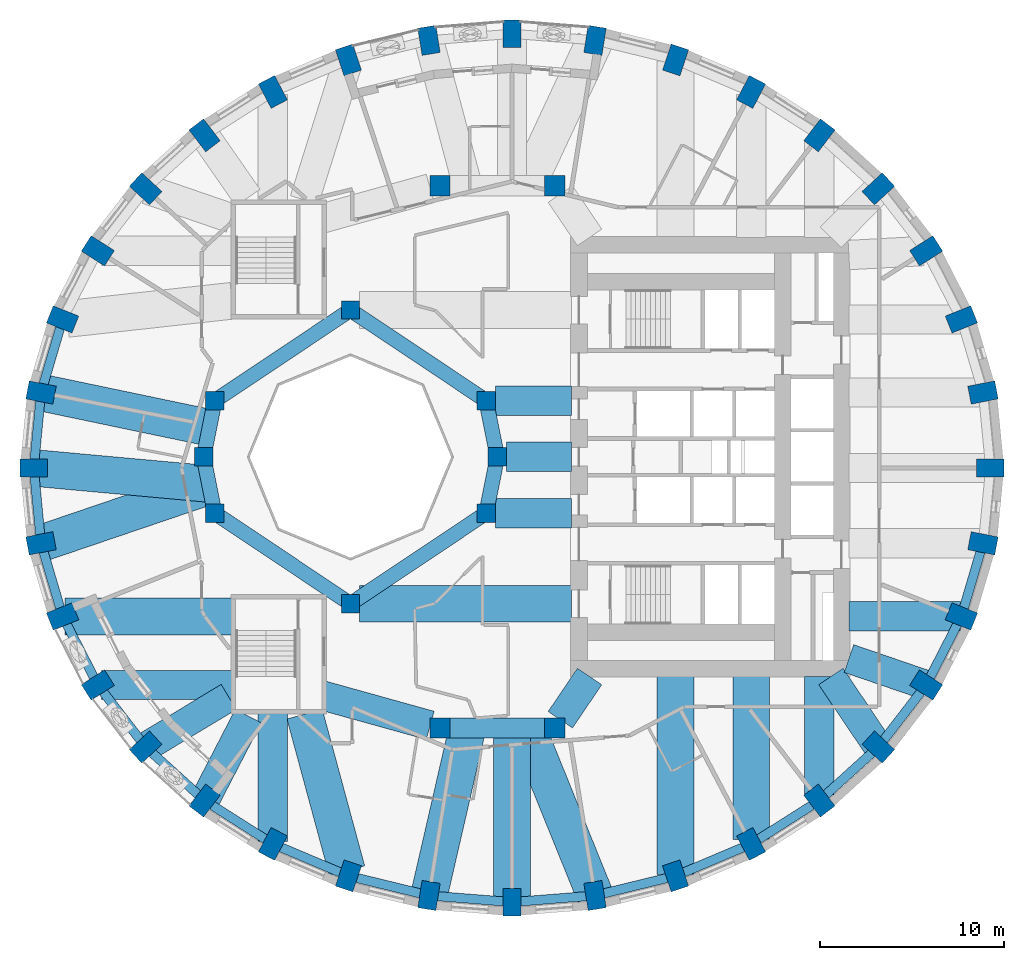
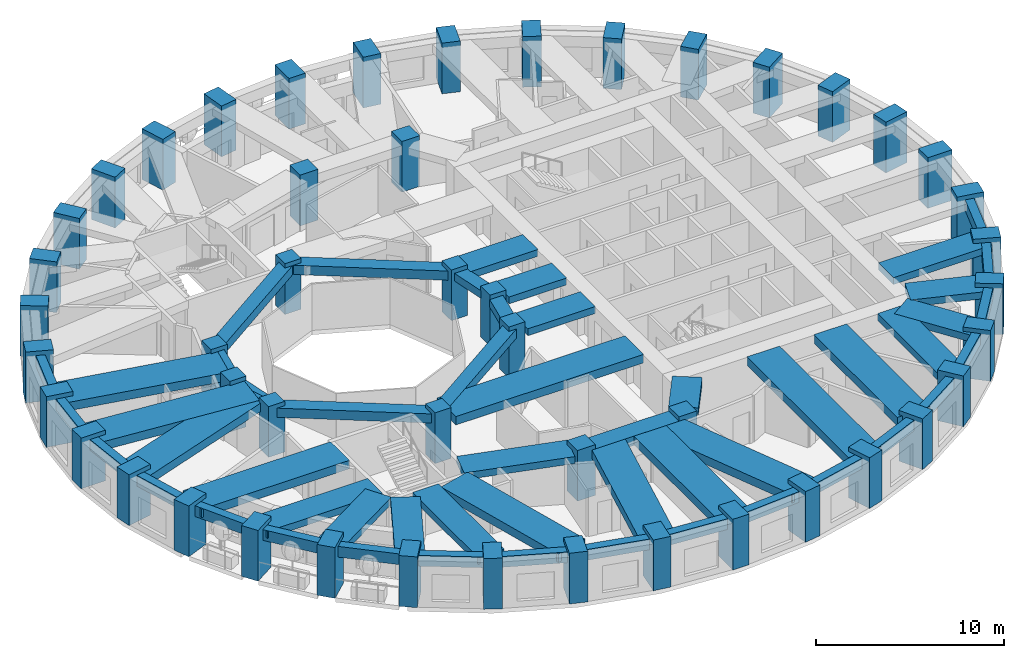
# One storey, part 1 of 12: 52 beams, 48 columns.
"""IFC4 building model written with IfcOpenShell, lengths in metres."""

from ifc_helpers import new_model, si_unit, direction, frame, origin, origin_2d, place, context, subcontext, project, spatial, rectangle, extrude, material, material_profile, profile_set, type_object, element, save


model = new_model("IFC4")

# Units and contexts
model_context = context("Model", 3, precision=1e-05, world=origin(), true_north=direction((0.0, 1.0)))
body_context = subcontext(model_context, "Body", "Model", "MODEL_VIEW")
ifc_project = project(units=[si_unit("LENGTHUNIT", "METRE"), si_unit("AREAUNIT", "SQUARE_METRE"), si_unit("VOLUMEUNIT", "CUBIC_METRE"), si_unit("PLANEANGLEUNIT", "RADIAN"), si_unit("MASSUNIT", "GRAM", prefix="KILO")], contexts=[model_context])

# Site, building, storey
site_placement = place(None, origin())
site = spatial("IfcSite", under=ifc_project, at=site_placement, CompositionType="ELEMENT")
building_placement = place(site_placement, origin())
building = spatial("IfcBuilding", under=site, at=building_placement, Name="Taillehof Tower", CompositionType="ELEMENT")
storey_placement = place(building_placement, frame((0.0, 0.0, 88.89990234375)))
storey = spatial("IfcBuildingStorey", under=building, at=storey_placement, Name="L24", CompositionType="ELEMENT", Elevation=88.89990234375)

# Columns
ifc_material_1 = material(Name="Concrete C50/60", Category="concrete")
ifc_material_profile_1 = material_profile(ifc_material_1, rectangle(XDim=1.0, YDim=1.0, at=origin_2d()), Name="RC 1000x1000")
ifc_profile_set_1 = profile_set([ifc_material_profile_1], Name="Concrete C50/60")
column_type_1 = type_object("IfcColumnType", Name="Atrium ring column C50/60 1000x1000", PredefinedType="COLUMN", material=ifc_profile_set_1)
for number, where, z_axis, x_axis, name in (
    (1, (0.0, 0.0, 0.0), (0.0, 0.0, 1.0), (1.0, 0.0, 0.0), "Column AC01"),
    (2, (-0.60888671875, 3.0615234375, 0.0), (0.0, 0.0, 1.0), (1.0, 0.0, 0.0), "Column AC02"),
    (3, (-8.0, 8.0, 0.0), (0.0, 0.0, 1.0), (1.0, 0.0, 0.0), "Column AC05"),
    (4, (-15.39111328125, 3.0615234375, 0.0), (0.0, 0.0, 1.0), (1.0, 0.0, 0.0), "Column AC08"),
    (5, (-16.0, 0.0, 0.0), (0.0, 0.0, 1.0), (1.0, 0.0, 0.0), "Column AC09"),
    (6, (-15.39111328125, -3.0615234375, 0.0), (0.0, 0.0, 1.0), (1.0, 0.0, 0.0), "Column AC10"),
    (7, (-8.0, -8.0, 0.0), (0.0, 0.0, 1.0), (1.0, 0.0, 0.0), "Column AC13"),
    (8, (-0.60888671875, -3.0615234375, 0.0), (0.0, 0.0, 1.0), (1.0, 0.0, 0.0), "Column AC16"),
):
    element("IfcColumn", number, at=place(storey_placement, frame(where, z_axis=z_axis, x_axis=x_axis)), inside=storey, type_object=column_type_1, Name=name, PredefinedType="COLUMN", context=body_context, shape_type="SweptSolid", body=[
        extrude(rectangle(XDim=1.0, YDim=1.0, at=origin_2d()), origin(), (0.0, 0.0, 1.0), 3.300048828125),
    ])
ifc_material_2 = material(Name="Concrete C50/60", Category="concrete")
ifc_material_profile_2 = material_profile(ifc_material_2, rectangle(XDim=1.10009765625, YDim=1.10009765625, at=origin_2d()), Name="RC 1100x1100")
ifc_profile_set_2 = profile_set([ifc_material_profile_2], Name="Concrete C50/60")
column_type_2 = type_object("IfcColumnType", Name="Mid-ring column C50/60 1100x1100", PredefinedType="COLUMN", material=ifc_profile_set_2)
for number, where, z_axis, x_axis, name in (
    (9, (3.125732421875, 14.772216796875, 0.0), (0.0, 0.0, 1.0), (1.0, 0.0, 0.0), "Column MC05"),
    (10, (3.125732421875, -14.772216796875, 0.0), (0.0, 0.0, 1.0), (1.0, 0.0, 0.0), "Column MC15"),
):
    element("IfcColumn", number, at=place(storey_placement, frame(where, z_axis=z_axis, x_axis=x_axis)), inside=storey, type_object=column_type_2, Name=name, PredefinedType="COLUMN", context=body_context, shape_type="SweptSolid", body=[
        extrude(rectangle(XDim=1.10009765625, YDim=1.10009765625, at=origin_2d()), origin(), (0.0, 0.0, 1.0), 3.300048828125),
    ])
ifc_material_3 = material(Name="Concrete C60/75", Category="concrete")
ifc_material_profile_3 = material_profile(ifc_material_3, rectangle(XDim=1.10009765625, YDim=1.10009765625, at=origin_2d()), Name="RC 1100x1100")
ifc_profile_set_3 = profile_set([ifc_material_profile_3], Name="Concrete C60/75")
column_type_3 = type_object("IfcColumnType", Name="Mid-ring column C60/75 1100x1100", PredefinedType="COLUMN", material=ifc_profile_set_3)
for number, where, z_axis, x_axis, name in (
    (11, (-3.125732421875, 14.772216796875, 0.0), (0.0, 0.0, 1.0), (1.0, 0.0, 0.0), "Column MC06"),
    (12, (-3.125732421875, -14.772216796875, 0.0), (0.0, 0.0, 1.0), (1.0, 0.0, 0.0), "Column MC14"),
):
    element("IfcColumn", number, at=place(storey_placement, frame(where, z_axis=z_axis, x_axis=x_axis)), inside=storey, type_object=column_type_3, Name=name, PredefinedType="COLUMN", context=body_context, shape_type="SweptSolid", body=[
        extrude(rectangle(XDim=1.10009765625, YDim=1.10009765625, at=origin_2d()), origin(), (0.0, 0.0, 1.0), 3.300048828125),
    ])
ifc_material_4 = material(Name="Concrete C70/85", Category="concrete")
ifc_material_profile_4 = material_profile(ifc_material_4, rectangle(XDim=1.5, YDim=1.0, at=origin_2d()), Name="RC 1500x1000")
ifc_profile_set_4 = profile_set([ifc_material_profile_4], Name="Concrete C70/85")
column_type_4 = type_object("IfcColumnType", Name="Ring column C70/85 1500x1000", PredefinedType="COLUMN", material=ifc_profile_set_4)
for number, where, z_axis, x_axis, name in (
    (13, (26.85009765625, -0.60009765625, 0.0), (0.0, 0.0, 1.0), (1.0, 0.0, 0.0), "Ring column RC01"),
    (14, (26.454345703125, 3.5068359375, 0.0), (0.0, 0.0, 1.0), (0.981757466121, 0.190137523166, 0.0), "Ring column RC02"),
    (15, (25.279052734375, 7.48876953125, 0.0), (0.0, 0.0, 1.0), (0.928550110352, 0.371207075048, 0.0), "Ring column RC03"),
    (16, (23.35986328125, 11.22509765625, 0.0), (0.0, 0.0, 1.0), (0.844511454562, 0.535537489923, 0.0), "Ring column RC04"),
    (17, (20.75537109375, 14.60205078125, 0.0), (0.0, 0.0, 1.0), (0.735332034083, 0.677707016085, 0.0), "Ring column RC05"),
    (18, (17.544677734375, 17.516845703125, 0.0), (0.0, 0.0, 1.0), (0.607074228939, 0.794645128694, 0.0), "Ring column RC06"),
    (19, (13.824951171875, 19.881591796875, 0.0), (0.0, 0.0, 1.0), (0.465283017627, 0.885161970211, 0.0), "Ring column RC07"),
    (20, (9.709716796875, 21.623779296875, 0.0), (0.0, 0.0, 1.0), (0.314554972703, 0.949239258116, 0.0), "Ring column RC08"),
    (21, (5.323486328125, 22.690673828125, 0.0), (0.0, 0.0, 1.0), (0.158507038215, 0.987357847407, 0.0), "Ring column RC09"),
    (22, (0.800048828125, 23.050048828125, 0.0), (0.0, 0.0, 1.0), (0.0, 1.0, 0.0), "Ring column RC10"),
    (23, (-3.7236328125, 22.690673828125, 0.0), (0.0, 0.0, 1.0), (-0.158507038215, 0.987357847407, 0.0), "Ring column RC11"),
    (24, (-8.109619140625, 21.623779296875, 0.0), (0.0, 0.0, 1.0), (-0.314554972703, 0.949239258116, 0.0), "Ring column RC12"),
    (25, (-12.22509765625, 19.881591796875, 0.0), (0.0, 0.0, 1.0), (-0.465283017627, 0.885161970211, 0.0), "Ring column RC13"),
    (26, (-15.944580078125, 17.516845703125, 0.0), (0.0, 0.0, 1.0), (-0.607074228939, 0.794645128694, 0.0), "Ring column RC14"),
    (27, (-19.155517578125, 14.60205078125, 0.0), (0.0, 0.0, 1.0), (-0.735332034083, 0.677707016085, 0.0), "Ring column RC15"),
    (28, (-21.760009765625, 11.22509765625, 0.0), (0.0, 0.0, 1.0), (-0.844511454562, 0.535537489923, 0.0), "Ring column RC16"),
    (29, (-23.678955078125, 7.48876953125, 0.0), (0.0, 0.0, 1.0), (-0.928550110352, 0.371207075048, 0.0), "Ring column RC17"),
    (30, (-24.854248046875, 3.5068359375, 0.0), (0.0, 0.0, 1.0), (-0.981757466121, 0.190137523166, 0.0), "Ring column RC18"),
    (31, (-25.25, -0.60009765625, 0.0), (0.0, 0.0, 1.0), (-1.0, 0.0, 0.0), "Ring column RC19"),
    (32, (-24.854248046875, -4.706787109375, 0.0), (0.0, 0.0, 1.0), (-0.981757466121, -0.190137523166, 0.0), "Ring column RC20"),
    (33, (-23.678955078125, -8.688720703125, 0.0), (0.0, 0.0, 1.0), (-0.928550110352, -0.371207075048, 0.0), "Ring column RC21"),
    (34, (-21.760009765625, -12.425048828125, 0.0), (0.0, 0.0, 1.0), (-0.844511454562, -0.535537489923, 0.0), "Ring column RC22"),
    (35, (-19.155517578125, -15.802001953125, 0.0), (0.0, 0.0, 1.0), (-0.735332034083, -0.677707016085, 0.0), "Ring column RC23"),
    (36, (-15.944580078125, -18.717041015625, 0.0), (0.0, 0.0, 1.0), (-0.607074228939, -0.794645128694, 0.0), "Ring column RC24"),
    (37, (-12.22509765625, -21.08154296875, 0.0), (0.0, 0.0, 1.0), (-0.465283017627, -0.885161970211, 0.0), "Ring column RC25"),
    (38, (-8.109619140625, -22.82373046875, 0.0), (0.0, 0.0, 1.0), (-0.314554972703, -0.949239258116, 0.0), "Ring column RC26"),
    (39, (-3.7236328125, -23.890625, 0.0), (0.0, 0.0, 1.0), (-0.158507038215, -0.987357847407, 0.0), "Ring column RC27"),
    (40, (0.800048828125, -24.25, 0.0), (0.0, 0.0, 1.0), (0.0, -1.0, 0.0), "Ring column RC28"),
    (41, (5.323486328125, -23.890625, 0.0), (0.0, 0.0, 1.0), (0.158507038215, -0.987357847407, 0.0), "Ring column RC29"),
    (42, (9.709716796875, -22.82373046875, 0.0), (0.0, 0.0, 1.0), (0.314554972703, -0.949239258116, 0.0), "Ring column RC30"),
    (43, (13.824951171875, -21.08154296875, 0.0), (0.0, 0.0, 1.0), (0.465283017627, -0.885161970211, 0.0), "Ring column RC31"),
    (44, (17.544677734375, -18.717041015625, 0.0), (0.0, 0.0, 1.0), (0.607074228939, -0.794645128694, 0.0), "Ring column RC32"),
    (45, (20.75537109375, -15.802001953125, 0.0), (0.0, 0.0, 1.0), (0.735332034083, -0.677707016085, 0.0), "Ring column RC33"),
    (46, (23.35986328125, -12.425048828125, 0.0), (0.0, 0.0, 1.0), (0.844511454562, -0.535537489923, 0.0), "Ring column RC34"),
    (47, (25.279052734375, -8.688720703125, 0.0), (0.0, 0.0, 1.0), (0.928550110352, -0.371207075048, 0.0), "Ring column RC35"),
    (48, (26.454345703125, -4.706787109375, 0.0), (0.0, 0.0, 1.0), (0.981757466121, -0.190137523166, 0.0), "Ring column RC36"),
):
    element("IfcColumn", number, at=place(storey_placement, frame(where, z_axis=z_axis, x_axis=x_axis)), inside=storey, type_object=column_type_4, Name=name, PredefinedType="COLUMN", context=body_context, shape_type="SweptSolid", body=[
        extrude(rectangle(XDim=1.5, YDim=1.0, at=origin_2d()), origin(), (0.0, 0.0, 1.0), 3.300048828125),
    ])

# Beams
ifc_material_5 = material(Name="Concrete C50/60", Category="concrete")
ifc_material_profile_5 = material_profile(ifc_material_5, rectangle(XDim=0.800048828125, YDim=0.5, at=origin_2d()), Name="RC 800x500")
ifc_profile_set_5 = profile_set([ifc_material_profile_5], Name="Concrete C50/60")
beam_type_1 = type_object("IfcBeamType", Name="Atrium ring beam C50/60 800x500", PredefinedType="BEAM", material=ifc_profile_set_5)
for number, where, z_axis, x_axis, name in (
    (49, (0.0, 0.0, 2.77001953125), (-0.195063155143, 0.980790683839, 0.0), (-0.980790683839, -0.195063155143, 0.0), "Atrium ring beam AB01"),
    (50, (-15.39111328125, 3.0615234375, 2.77001953125), (-0.195063155143, -0.980790683839, 0.0), (0.980790683839, -0.195063155143, 0.0), "Atrium ring beam AB04"),
    (51, (-16.0, 0.0, 2.77001953125), (0.195063155143, -0.980790683839, 0.0), (0.980790683839, 0.195063155143, 0.0), "Atrium ring beam AB05"),
    (52, (-0.60888671875, -3.0615234375, 2.77001953125), (0.195063155143, 0.980790683839, 0.0), (-0.980790683839, 0.195063155143, 0.0), "Atrium ring beam AB08"),
):
    element("IfcBeam", number, at=place(storey_placement, frame(where, z_axis=z_axis, x_axis=x_axis)), inside=storey, type_object=beam_type_1, Name=name, PredefinedType="BEAM", context=body_context, shape_type="SweptSolid", body=[
        extrude(rectangle(XDim=0.800048828125, YDim=0.5, at=origin_2d()), origin(), (0.0, 0.0, 1.0), 3.12158203125),
    ])
ifc_material_6 = material(Name="Concrete C50/60", Category="concrete")
ifc_material_profile_6 = material_profile(ifc_material_6, rectangle(XDim=0.800048828125, YDim=0.60009765625, at=origin_2d()), Name="RC 800x600")
ifc_profile_set_6 = profile_set([ifc_material_profile_6], Name="Concrete C50/60")
beam_type_2 = type_object("IfcBeamType", Name="Atrium ring beam C50/60 800x600", PredefinedType="BEAM", material=ifc_profile_set_6)
for number, where, z_axis, x_axis, name in (
    (53, (-0.60888671875, 3.0615234375, 2.72021484375), (-0.831475195687, 0.555561876804, 0.0), (-0.555561876804, -0.831475195687, 0.0), "Atrium ring beam AB02"),
    (54, (-8.0, 8.0, 2.72021484375), (-0.831475195687, -0.555561876804, 0.0), (0.555561876804, -0.831475195687, 0.0), "Atrium ring beam AB03"),
    (55, (-15.39111328125, -3.0615234375, 2.72021484375), (0.831475195687, -0.555561876804, 0.0), (0.555561876804, 0.831475195687, 0.0), "Atrium ring beam AB06"),
    (56, (-8.0, -8.0, 2.72021484375), (0.831475195687, 0.555561876804, 0.0), (-0.555561876804, 0.831475195687, 0.0), "Atrium ring beam AB07"),
):
    element("IfcBeam", number, at=place(storey_placement, frame(where, z_axis=z_axis, x_axis=x_axis)), inside=storey, type_object=beam_type_2, Name=name, PredefinedType="BEAM", context=body_context, shape_type="SweptSolid", body=[
        extrude(rectangle(XDim=0.800048828125, YDim=0.60009765625, at=origin_2d()), origin(), (0.0, 0.0, 1.0), 8.88916015625),
    ])
ifc_material_7 = material(Name="Concrete C50/60", Category="concrete")
ifc_material_profile_7 = material_profile(ifc_material_7, rectangle(XDim=1.10009765625, YDim=0.60009765625, at=origin_2d()), Name="RC 1100x600")
ifc_profile_set_7 = profile_set([ifc_material_profile_7], Name="Concrete C50/60")
beam_type_3 = type_object("IfcBeamType", Name="Mid-ring beam C50/60 1100x600", PredefinedType="BEAM", material=ifc_profile_set_7)
beam_1_placement = place(storey_placement, frame((-3.125732421875, -14.772216796875, 2.72021484375), z_axis=(1.0, 0.0, 0.0), x_axis=(0.0, 1.0, 0.0)))
element("IfcBeam", 57, at=beam_1_placement, inside=storey, type_object=beam_type_3, Name="Mid-ring beam MB02", PredefinedType="BEAM", context=body_context, shape_type="SweptSolid", body=[
    extrude(rectangle(XDim=1.10009765625, YDim=0.60009765625, at=origin_2d()), origin(), (0.0, 0.0, 1.0), 6.25146484375),
])
ifc_material_8 = material(Name="Concrete C50/60", Category="concrete")
ifc_material_profile_8 = material_profile(ifc_material_8, rectangle(XDim=1.60009765625, YDim=0.449951171875, at=origin_2d()), Name="RC 1600x450")
ifc_profile_set_8 = profile_set([ifc_material_profile_8], Name="Concrete C50/60")
beam_type_4 = type_object("IfcBeamType", Name="Radial band beam C50/60 1600x450", PredefinedType="BEAM", material=ifc_profile_set_8)
beam_2_placement = place(storey_placement, frame((-21.54736328125, -12.425048828125, 2.795166015625), z_axis=(1.0, 0.0, 0.0), x_axis=(0.0, 1.0, 0.0)))
element("IfcBeam", 58, at=beam_2_placement, inside=storey, type_object=beam_type_4, Name="Radial band beam RB22", PredefinedType="BEAM", context=body_context, shape_type="SweptSolid", body=[
    extrude(rectangle(XDim=1.60009765625, YDim=0.449951171875, at=origin_2d()), origin(), (0.0, 0.0, 1.0), 7.097412109375),
])
beam_3_placement = place(storey_placement, frame((-19.155517578125, -15.802001953125, 2.795166015625), z_axis=(0.856794973818, 0.515657224171, 0.0), x_axis=(-0.515657224171, 0.856794973818, 0.0)))
element("IfcBeam", 59, at=beam_3_placement, inside=storey, type_object=beam_type_4, Name="Radial band beam RB23", PredefinedType="BEAM", context=body_context, shape_type="SweptSolid", body=[
    extrude(rectangle(XDim=1.60009765625, YDim=0.449951171875, at=origin_2d()), origin(), (0.0, 0.0, 1.0), 5.28369140625),
])
beam_4_placement = place(storey_placement, frame((-15.944580078125, -18.717041015625, 2.795166015625), z_axis=(0.460119038647, 0.8878572353, 0.0), x_axis=(-0.8878572353, 0.460119038647, 0.0)))
element("IfcBeam", 60, at=beam_4_placement, inside=storey, type_object=beam_type_4, Name="Radial band beam RB24", PredefinedType="BEAM", context=body_context, shape_type="SweptSolid", body=[
    extrude(rectangle(XDim=1.60009765625, YDim=0.449951171875, at=origin_2d()), origin(), (0.0, 0.0, 1.0), 5.1796875),
])
beam_5_placement = place(storey_placement, frame((-12.22509765625, -20.9443359375, 2.795166015625), z_axis=(0.0, 1.0, 0.0), x_axis=(-1.0, 0.0, 0.0)))
element("IfcBeam", 61, at=beam_5_placement, inside=storey, type_object=beam_type_4, Name="Radial band beam RB25", PredefinedType="BEAM", context=body_context, shape_type="SweptSolid", body=[
    extrude(rectangle(XDim=1.60009765625, YDim=0.449951171875, at=origin_2d()), origin(), (0.0, 0.0, 1.0), 6.994384765625),
])
beam_6_placement = place(storey_placement, frame((17.544677734375, -18.421875, 2.795166015625), z_axis=(0.0, 1.0, 0.0), x_axis=(-1.0, 0.0, 0.0)))
element("IfcBeam", 62, at=beam_6_placement, inside=storey, type_object=beam_type_4, Name="Radial band beam RB32", PredefinedType="BEAM", context=body_context, shape_type="SweptSolid", body=[
    extrude(rectangle(XDim=1.60009765625, YDim=0.449951171875, at=origin_2d()), origin(), (0.0, 0.0, 1.0), 6.471923828125),
])
beam_7_placement = place(storey_placement, frame((20.75537109375, -15.802001953125, 2.795166015625), z_axis=(-0.557822939952, 0.829959979555, 0.0), x_axis=(-0.829959979555, -0.557822939952, 0.0)))
element("IfcBeam", 63, at=beam_7_placement, inside=storey, type_object=beam_type_4, Name="Radial band beam RB33", PredefinedType="BEAM", context=body_context, shape_type="SweptSolid", body=[
    extrude(rectangle(XDim=1.60009765625, YDim=0.449951171875, at=origin_2d()), origin(), (0.0, 0.0, 1.0), 4.630859375),
])
beam_8_placement = place(storey_placement, frame((23.35986328125, -12.425048828125, 2.795166015625), z_axis=(-0.946037817118, 0.324056242932, 0.0), x_axis=(-0.324056242932, -0.946037817118, 0.0)))
element("IfcBeam", 64, at=beam_8_placement, inside=storey, type_object=beam_type_4, Name="Radial band beam RB34", PredefinedType="BEAM", context=body_context, shape_type="SweptSolid", body=[
    extrude(rectangle(XDim=1.60009765625, YDim=0.449951171875, at=origin_2d()), origin(), (0.0, 0.0, 1.0), 4.447265625),
])
beam_9_placement = place(storey_placement, frame((25.2275390625, -8.688720703125, 2.795166015625), z_axis=(-1.0, 0.0, 0.0), x_axis=(0.0, -1.0, 0.0)))
element("IfcBeam", 65, at=beam_9_placement, inside=storey, type_object=beam_type_4, Name="Radial band beam RB35", PredefinedType="BEAM", context=body_context, shape_type="SweptSolid", body=[
    extrude(rectangle(XDim=1.60009765625, YDim=0.449951171875, at=origin_2d()), origin(), (0.0, 0.0, 1.0), 6.07763671875),
])
beam_10_placement = place(storey_placement, frame((0.5, 0.0, 2.795166015625), z_axis=(1.0, 0.0, 0.0), x_axis=(0.0, 1.0, 0.0)))
element("IfcBeam", 66, at=beam_10_placement, inside=storey, type_object=beam_type_4, Name="Inner band beam IB101", PredefinedType="BEAM", context=body_context, shape_type="SweptSolid", body=[
    extrude(rectangle(XDim=1.60009765625, YDim=0.449951171875, at=origin_2d()), origin(), (0.0, 0.0, 1.0), 3.550048828125),
])
for number, where, z_axis, x_axis, name in (
    (67, (-0.10888671875, 3.0615234375, 2.795166015625), (1.0, 0.0, 0.0), (0.0, 1.0, 0.0), "Inner band beam IB102"),
    (68, (-0.10888671875, -3.0615234375, 2.795166015625), (1.0, 0.0, 0.0), (0.0, 1.0, 0.0), "Inner band beam IB116"),
):
    element("IfcBeam", number, at=place(storey_placement, frame(where, z_axis=z_axis, x_axis=x_axis)), inside=storey, type_object=beam_type_4, Name=name, PredefinedType="BEAM", context=body_context, shape_type="SweptSolid", body=[
        extrude(rectangle(XDim=1.60009765625, YDim=0.449951171875, at=origin_2d()), origin(), (0.0, 0.0, 1.0), 4.158935546875),
    ])
beam_11_placement = place(storey_placement, frame((-3.655517578125, -14.624755859375, 2.795166015625), z_axis=(-0.963459369536, 0.267854518821, 0.0), x_axis=(-0.267854518821, -0.963459369536, 0.0)))
element("IfcBeam", 69, at=beam_11_placement, inside=storey, type_object=beam_type_4, Name="Inner band beam IB214", PredefinedType="BEAM", context=body_context, shape_type="SweptSolid", body=[
    extrude(rectangle(XDim=1.60009765625, YDim=0.449951171875, at=origin_2d()), origin(), (0.0, 0.0, 1.0), 6.096923828125),
])
beam_12_placement = place(storey_placement, frame((3.433837890625, -14.31640625, 2.795166015625), z_axis=(0.560112043398, 0.828416862962, 0.0), x_axis=(-0.828416862962, 0.560112043398, 0.0)))
element("IfcBeam", 70, at=beam_12_placement, inside=storey, type_object=beam_type_4, Name="Inner band beam IB215", PredefinedType="BEAM", context=body_context, shape_type="SweptSolid", body=[
    extrude(rectangle(XDim=1.60009765625, YDim=0.449951171875, at=origin_2d()), origin(), (0.0, 0.0, 1.0), 2.84619140625),
])
ifc_material_9 = material(Name="Concrete C50/60", Category="concrete")
ifc_material_profile_9 = material_profile(ifc_material_9, rectangle(XDim=2.0, YDim=0.550048828125, at=origin_2d()), Name="RC 2000x550")
ifc_profile_set_9 = profile_set([ifc_material_profile_9], Name="Concrete C50/60")
beam_type_5 = type_object("IfcBeamType", Name="Radial band beam C50/60 2000x550", PredefinedType="BEAM", material=ifc_profile_set_9)
beam_13_placement = place(storey_placement, frame((-24.854248046875, 3.5068359375, 2.7451171875), z_axis=(0.978853404319, -0.204562980164, 0.0), x_axis=(0.204562980164, 0.978853404319, 0.0)))
element("IfcBeam", 71, at=beam_13_placement, inside=storey, type_object=beam_type_5, Name="Radial band beam RB18", PredefinedType="BEAM", context=body_context, shape_type="SweptSolid", body=[
    extrude(rectangle(XDim=2.0, YDim=0.550048828125, at=origin_2d()), origin(), (0.0, 0.0, 1.0), 9.36865234375),
])
beam_14_placement = place(storey_placement, frame((-25.25, -0.60009765625, 2.7451171875), z_axis=(0.995859515154, -0.090905588816, 0.0), x_axis=(0.090905588816, 0.995859515154, 0.0)))
element("IfcBeam", 72, at=beam_14_placement, inside=storey, type_object=beam_type_5, Name="Radial band beam RB19", PredefinedType="BEAM", context=body_context, shape_type="SweptSolid", body=[
    extrude(rectangle(XDim=2.0, YDim=0.550048828125, at=origin_2d()), origin(), (0.0, 0.0, 1.0), 9.58251953125),
])
beam_15_placement = place(storey_placement, frame((-24.854248046875, -4.706787109375, 2.7451171875), z_axis=(0.946822052625, 0.321757673822, 0.0), x_axis=(-0.321757673822, 0.946822052625, 0.0)))
element("IfcBeam", 73, at=beam_15_placement, inside=storey, type_object=beam_type_5, Name="Radial band beam RB20", PredefinedType="BEAM", context=body_context, shape_type="SweptSolid", body=[
    extrude(rectangle(XDim=2.0, YDim=0.550048828125, at=origin_2d()), origin(), (0.0, 0.0, 1.0), 9.685791015625),
])
beam_16_placement = place(storey_placement, frame((-23.54736328125, -8.688720703125, 2.7451171875), z_axis=(1.0, 0.0, 0.0), x_axis=(0.0, 1.0, 0.0)))
element("IfcBeam", 74, at=beam_16_placement, inside=storey, type_object=beam_type_5, Name="Radial band beam RB21", PredefinedType="BEAM", context=body_context, shape_type="SweptSolid", body=[
    extrude(rectangle(XDim=2.0, YDim=0.550048828125, at=origin_2d()), origin(), (0.0, 0.0, 1.0), 9.097412109375),
])
beam_17_placement = place(storey_placement, frame((-8.186767578125, -22.539306640625, 2.7451171875), z_axis=(-0.261461600872, 0.965213878511, 0.0), x_axis=(-0.965213878511, -0.261461600872, 0.0)))
element("IfcBeam", 75, at=beam_17_placement, inside=storey, type_object=beam_type_5, Name="Radial band beam RB26", PredefinedType="BEAM", context=body_context, shape_type="SweptSolid", body=[
    extrude(rectangle(XDim=2.0, YDim=0.550048828125, at=origin_2d()), origin(), (0.0, 0.0, 1.0), 8.835205078125),
])
beam_18_placement = place(storey_placement, frame((-3.7236328125, -23.890625, 2.7451171875), z_axis=(0.224215346781, 0.974539623755, 0.0), x_axis=(-0.974539623755, 0.224215346781, 0.0)))
element("IfcBeam", 76, at=beam_18_placement, inside=storey, type_object=beam_type_5, Name="Radial band beam RB27", PredefinedType="BEAM", context=body_context, shape_type="SweptSolid", body=[
    extrude(rectangle(XDim=2.0, YDim=0.550048828125, at=origin_2d()), origin(), (0.0, 0.0, 1.0), 9.356689453125),
])
beam_19_placement = place(storey_placement, frame((0.800048828125, -24.25, 2.7451171875), z_axis=(0.0, 1.0, 0.0), x_axis=(-1.0, 0.0, 0.0)))
element("IfcBeam", 77, at=beam_19_placement, inside=storey, type_object=beam_type_5, Name="Radial band beam RB28", PredefinedType="BEAM", context=body_context, shape_type="SweptSolid", body=[
    extrude(rectangle(XDim=2.0, YDim=0.550048828125, at=origin_2d()), origin(), (0.0, 0.0, 1.0), 9.477783203125),
])
beam_20_placement = place(storey_placement, frame((5.323486328125, -23.890625, 2.7451171875), z_axis=(-0.375801287916, 0.926700270854, 0.0), x_axis=(-0.926700270854, -0.375801287916, 0.0)))
element("IfcBeam", 78, at=beam_20_placement, inside=storey, type_object=beam_type_5, Name="Radial band beam RB29", PredefinedType="BEAM", context=body_context, shape_type="SweptSolid", body=[
    extrude(rectangle(XDim=2.0, YDim=0.550048828125, at=origin_2d()), origin(), (0.0, 0.0, 1.0), 9.839599609375),
])
beam_21_placement = place(storey_placement, frame((9.709716796875, -22.756591796875, 2.7451171875), z_axis=(0.0, 1.0, 0.0), x_axis=(-1.0, 0.0, 0.0)))
element("IfcBeam", 79, at=beam_21_placement, inside=storey, type_object=beam_type_5, Name="Radial band beam RB30", PredefinedType="BEAM", context=body_context, shape_type="SweptSolid", body=[
    extrude(rectangle(XDim=2.0, YDim=0.550048828125, at=origin_2d()), origin(), (0.0, 0.0, 1.0), 10.806640625),
])
beam_22_placement = place(storey_placement, frame((13.824951171875, -20.839599609375, 2.7451171875), z_axis=(0.0, 1.0, 0.0), x_axis=(-1.0, 0.0, 0.0)))
element("IfcBeam", 80, at=beam_22_placement, inside=storey, type_object=beam_type_5, Name="Radial band beam RB31", PredefinedType="BEAM", context=body_context, shape_type="SweptSolid", body=[
    extrude(rectangle(XDim=2.0, YDim=0.550048828125, at=origin_2d()), origin(), (0.0, 0.0, 1.0), 8.8896484375),
])
beam_23_placement = place(storey_placement, frame((-7.5, -8.0, 2.7451171875), z_axis=(1.0, 0.0, 0.0), x_axis=(0.0, 1.0, 0.0)))
element("IfcBeam", 81, at=beam_23_placement, inside=storey, type_object=beam_type_5, Name="Inner band beam IB113", PredefinedType="BEAM", context=body_context, shape_type="SweptSolid", body=[
    extrude(rectangle(XDim=2.0, YDim=0.550048828125, at=origin_2d()), origin(), (0.0, 0.0, 1.0), 11.550048828125),
])
ifc_material_10 = material(Name="Concrete C50/60", Category="concrete")
ifc_material_profile_10 = material_profile(ifc_material_10, rectangle(XDim=0.5, YDim=0.699951171875, at=origin_2d()), Name="RC 500x700")
ifc_profile_set_10 = profile_set([ifc_material_profile_10], Name="Concrete C50/60")
beam_type_6 = type_object("IfcBeamType", Name="Spandrel beam C50/60 500x700", PredefinedType="SPANDREL", material=ifc_profile_set_10)
beam_24_placement = place(storey_placement, frame((-23.678955078125, 7.48876953125, 2.670166015625), z_axis=(-0.28308309012, -0.95909538842, 0.0), x_axis=(0.95909538842, -0.28308309012, 0.0)))
element("IfcBeam", 82, at=beam_24_placement, inside=storey, type_object=beam_type_6, Name="Spandrel beam SB17", PredefinedType="SPANDREL", context=body_context, shape_type="SweptSolid", body=[
    extrude(rectangle(XDim=0.5, YDim=0.699951171875, at=origin_2d()), origin(), (0.0, 0.0, 1.0), 4.15185546875),
])
beam_25_placement = place(storey_placement, frame((-24.854248046875, 3.5068359375, 2.670166015625), z_axis=(-0.095917608943, -0.995389276763, 0.0), x_axis=(0.995389276763, -0.095917608943, 0.0)))
element("IfcBeam", 83, at=beam_25_placement, inside=storey, type_object=beam_type_6, Name="Spandrel beam SB18", PredefinedType="SPANDREL", context=body_context, shape_type="SweptSolid", body=[
    extrude(rectangle(XDim=0.5, YDim=0.699951171875, at=origin_2d()), origin(), (0.0, 0.0, 1.0), 4.1259765625),
])
beam_26_placement = place(storey_placement, frame((-25.25, -0.60009765625, 2.670166015625), z_axis=(0.09592325873, -0.995388732323, 0.0), x_axis=(0.995388732323, 0.09592325873, 0.0)))
element("IfcBeam", 84, at=beam_26_placement, inside=storey, type_object=beam_type_6, Name="Spandrel beam SB19", PredefinedType="SPANDREL", context=body_context, shape_type="SweptSolid", body=[
    extrude(rectangle(XDim=0.5, YDim=0.699951171875, at=origin_2d()), origin(), (0.0, 0.0, 1.0), 4.125732421875),
])
beam_27_placement = place(storey_placement, frame((-24.854248046875, -4.706787109375, 2.670166015625), z_axis=(0.28308309012, -0.95909538842, 0.0), x_axis=(0.95909538842, 0.28308309012, 0.0)))
element("IfcBeam", 85, at=beam_27_placement, inside=storey, type_object=beam_type_6, Name="Spandrel beam SB20", PredefinedType="SPANDREL", context=body_context, shape_type="SweptSolid", body=[
    extrude(rectangle(XDim=0.5, YDim=0.699951171875, at=origin_2d()), origin(), (0.0, 0.0, 1.0), 4.15185546875),
])
beam_28_placement = place(storey_placement, frame((-23.678955078125, -8.688720703125, 2.670166015625), z_axis=(0.456859381733, -0.889538928503, 0.0), x_axis=(0.889538928503, 0.456859381733, 0.0)))
element("IfcBeam", 86, at=beam_28_placement, inside=storey, type_object=beam_type_6, Name="Spandrel beam SB21", PredefinedType="SPANDREL", context=body_context, shape_type="SweptSolid", body=[
    extrude(rectangle(XDim=0.5, YDim=0.699951171875, at=origin_2d()), origin(), (0.0, 0.0, 1.0), 4.2001953125),
])
beam_29_placement = place(storey_placement, frame((-21.760009765625, -12.425048828125, 2.670166015625), z_axis=(0.61071731561, -0.79184869793, 0.0), x_axis=(0.79184869793, 0.61071731561, 0.0)))
element("IfcBeam", 87, at=beam_29_placement, inside=storey, type_object=beam_type_6, Name="Spandrel beam SB22", PredefinedType="SPANDREL", context=body_context, shape_type="SweptSolid", body=[
    extrude(rectangle(XDim=0.5, YDim=0.699951171875, at=origin_2d()), origin(), (0.0, 0.0, 1.0), 4.2646484375),
])
beam_30_placement = place(storey_placement, frame((-19.155517578125, -15.802001953125, 2.670166015625), z_axis=(0.740398416885, -0.672168270803, 0.0), x_axis=(0.672168270803, 0.740398416885, 0.0)))
element("IfcBeam", 88, at=beam_30_placement, inside=storey, type_object=beam_type_6, Name="Spandrel beam SB23", PredefinedType="SPANDREL", context=body_context, shape_type="SweptSolid", body=[
    extrude(rectangle(XDim=0.5, YDim=0.699951171875, at=origin_2d()), origin(), (0.0, 0.0, 1.0), 4.336669921875),
])
beam_31_placement = place(storey_placement, frame((-15.944580078125, -18.717041015625, 2.670166015625), z_axis=(0.843912293293, -0.536481165773, 0.0), x_axis=(0.536481165773, 0.843912293293, 0.0)))
element("IfcBeam", 89, at=beam_31_placement, inside=storey, type_object=beam_type_6, Name="Spandrel beam SB24", PredefinedType="SPANDREL", context=body_context, shape_type="SweptSolid", body=[
    extrude(rectangle(XDim=0.5, YDim=0.699951171875, at=origin_2d()), origin(), (0.0, 0.0, 1.0), 4.407470703125),
])
beam_32_placement = place(storey_placement, frame((-12.22509765625, -21.08154296875, 2.670166015625), z_axis=(0.920885046825, -0.389834234688, 0.0), x_axis=(0.389834234688, 0.920885046825, 0.0)))
element("IfcBeam", 90, at=beam_32_placement, inside=storey, type_object=beam_type_6, Name="Spandrel beam SB25", PredefinedType="SPANDREL", context=body_context, shape_type="SweptSolid", body=[
    extrude(rectangle(XDim=0.5, YDim=0.699951171875, at=origin_2d()), origin(), (0.0, 0.0, 1.0), 4.468994140625),
])
beam_33_placement = place(storey_placement, frame((-8.109619140625, -22.82373046875, 2.670166015625), z_axis=(0.971665924588, -0.236358479847, 0.0), x_axis=(0.236358479847, 0.971665924588, 0.0)))
element("IfcBeam", 91, at=beam_33_placement, inside=storey, type_object=beam_type_6, Name="Spandrel beam SB26", PredefinedType="SPANDREL", context=body_context, shape_type="SweptSolid", body=[
    extrude(rectangle(XDim=0.5, YDim=0.699951171875, at=origin_2d()), origin(), (0.0, 0.0, 1.0), 4.513916015625),
])
beam_34_placement = place(storey_placement, frame((-3.7236328125, -23.890625, 2.670166015625), z_axis=(0.996859260648, -0.079193525375, 0.0), x_axis=(0.079193525375, 0.996859260648, 0.0)))
element("IfcBeam", 92, at=beam_34_placement, inside=storey, type_object=beam_type_6, Name="Spandrel beam SB27", PredefinedType="SPANDREL", context=body_context, shape_type="SweptSolid", body=[
    extrude(rectangle(XDim=0.5, YDim=0.699951171875, at=origin_2d()), origin(), (0.0, 0.0, 1.0), 4.537841796875),
])
beam_35_placement = place(storey_placement, frame((0.800048828125, -24.25, 2.670166015625), z_axis=(0.996858923208, 0.079197772828, 0.0), x_axis=(-0.079197772828, 0.996858923208, 0.0)))
element("IfcBeam", 93, at=beam_35_placement, inside=storey, type_object=beam_type_6, Name="Spandrel beam SB28", PredefinedType="SPANDREL", context=body_context, shape_type="SweptSolid", body=[
    extrude(rectangle(XDim=0.5, YDim=0.699951171875, at=origin_2d()), origin(), (0.0, 0.0, 1.0), 4.53759765625),
])
beam_36_placement = place(storey_placement, frame((5.323486328125, -23.890625, 2.670166015625), z_axis=(0.971668945916, 0.23634605887, 0.0), x_axis=(-0.23634605887, 0.971668945916, 0.0)))
element("IfcBeam", 94, at=beam_36_placement, inside=storey, type_object=beam_type_6, Name="Spandrel beam SB29", PredefinedType="SPANDREL", context=body_context, shape_type="SweptSolid", body=[
    extrude(rectangle(XDim=0.5, YDim=0.699951171875, at=origin_2d()), origin(), (0.0, 0.0, 1.0), 4.51416015625),
])
beam_37_placement = place(storey_placement, frame((9.709716796875, -22.82373046875, 2.670166015625), z_axis=(0.920876744153, 0.389853847074, 0.0), x_axis=(-0.389853847074, 0.920876744153, 0.0)))
element("IfcBeam", 95, at=beam_37_placement, inside=storey, type_object=beam_type_6, Name="Spandrel beam SB30", PredefinedType="SPANDREL", context=body_context, shape_type="SweptSolid", body=[
    extrude(rectangle(XDim=0.5, YDim=0.699951171875, at=origin_2d()), origin(), (0.0, 0.0, 1.0), 4.46875),
])
beam_38_placement = place(storey_placement, frame((13.824951171875, -21.08154296875, 2.670166015625), z_axis=(0.843928234947, 0.536456087914, 0.0), x_axis=(-0.536456087914, 0.843928234947, 0.0)))
element("IfcBeam", 96, at=beam_38_placement, inside=storey, type_object=beam_type_6, Name="Spandrel beam SB31", PredefinedType="SPANDREL", context=body_context, shape_type="SweptSolid", body=[
    extrude(rectangle(XDim=0.5, YDim=0.699951171875, at=origin_2d()), origin(), (0.0, 0.0, 1.0), 4.40771484375),
])
beam_39_placement = place(storey_placement, frame((17.544677734375, -18.717041015625, 2.670166015625), z_axis=(0.740372980414, 0.672196288202, 0.0), x_axis=(-0.672196288202, 0.740372980414, 0.0)))
element("IfcBeam", 97, at=beam_39_placement, inside=storey, type_object=beam_type_6, Name="Spandrel beam SB32", PredefinedType="SPANDREL", context=body_context, shape_type="SweptSolid", body=[
    extrude(rectangle(XDim=0.5, YDim=0.699951171875, at=origin_2d()), origin(), (0.0, 0.0, 1.0), 4.336669921875),
])
beam_40_placement = place(storey_placement, frame((20.75537109375, -15.802001953125, 2.670166015625), z_axis=(0.61071731561, 0.79184869793, 0.0), x_axis=(-0.79184869793, 0.61071731561, 0.0)))
element("IfcBeam", 98, at=beam_40_placement, inside=storey, type_object=beam_type_6, Name="Spandrel beam SB33", PredefinedType="SPANDREL", context=body_context, shape_type="SweptSolid", body=[
    extrude(rectangle(XDim=0.5, YDim=0.699951171875, at=origin_2d()), origin(), (0.0, 0.0, 1.0), 4.2646484375),
])
beam_41_placement = place(storey_placement, frame((23.35986328125, -12.425048828125, 2.670166015625), z_axis=(0.456905372708, 0.88951530644, 0.0), x_axis=(-0.88951530644, 0.456905372708, 0.0)))
element("IfcBeam", 99, at=beam_41_placement, inside=storey, type_object=beam_type_6, Name="Spandrel beam SB34", PredefinedType="SPANDREL", context=body_context, shape_type="SweptSolid", body=[
    extrude(rectangle(XDim=0.5, YDim=0.699951171875, at=origin_2d()), origin(), (0.0, 0.0, 1.0), 4.200439453125),
])
beam_42_placement = place(storey_placement, frame((25.279052734375, -8.688720703125, 2.670166015625), z_axis=(0.28308309012, 0.95909538842, 0.0), x_axis=(-0.95909538842, 0.28308309012, 0.0)))
element("IfcBeam", 100, at=beam_42_placement, inside=storey, type_object=beam_type_6, Name="Spandrel beam SB35", PredefinedType="SPANDREL", context=body_context, shape_type="SweptSolid", body=[
    extrude(rectangle(XDim=0.5, YDim=0.699951171875, at=origin_2d()), origin(), (0.0, 0.0, 1.0), 4.15185546875),
])

save(model, "model.ifc")
